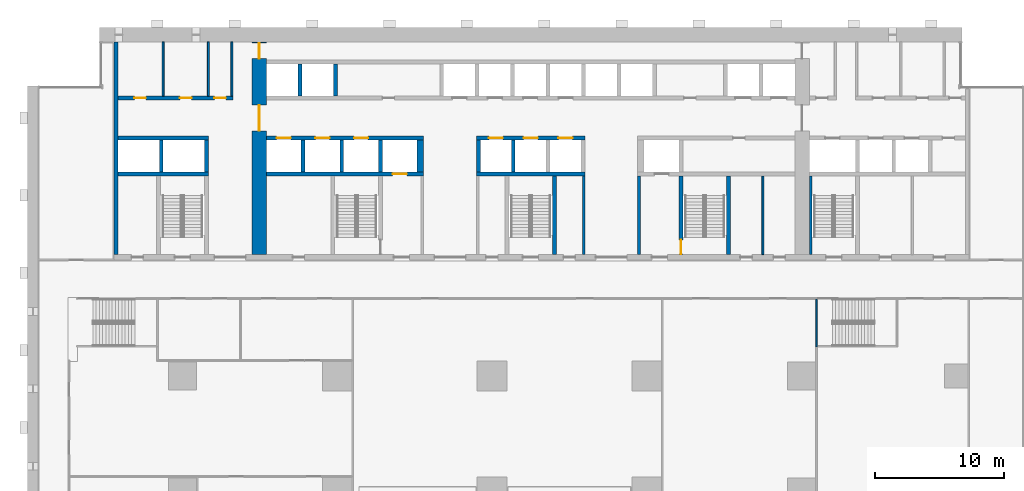
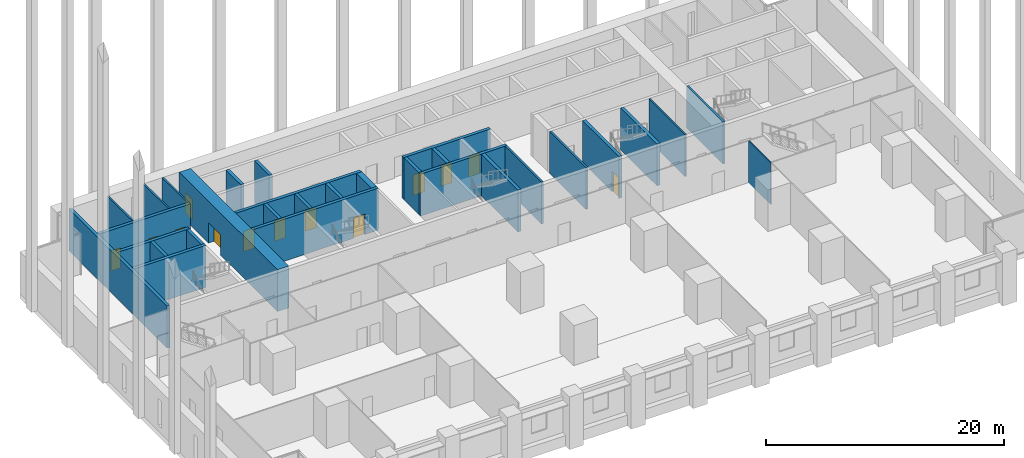
# One storey, part 9 of 17: 30 walls, 13 doors, 13 openings.
"""IFC4 building model written with IfcOpenShell, lengths in metres."""

from ifc_helpers import new_model, si_unit, direction, frame, frame_2d, origin, place, context, subcontext, project, spatial, rectangle, extrude, material, layer, layer_set, type_object, element, fill, save


model = new_model("IFC4")

# Units and contexts
model_context = context("Model", 3, precision=1e-05, world=origin(), true_north=direction((0.0, 1.0)))
body_context = subcontext(model_context, "Body", "Model", "MODEL_VIEW")
ifc_project = project(units=[si_unit("LENGTHUNIT", "METRE"), si_unit("AREAUNIT", "SQUARE_METRE"), si_unit("VOLUMEUNIT", "CUBIC_METRE"), si_unit("PLANEANGLEUNIT", "RADIAN"), si_unit("MASSUNIT", "GRAM", prefix="KILO")], contexts=[model_context])

# Site, building, storey
site_placement = place(None, origin())
site = spatial("IfcSite", under=ifc_project, at=site_placement, CompositionType="ELEMENT")
building_placement = place(site_placement, origin())
building = spatial("IfcBuilding", under=site, at=building_placement, Name="Calvaro Tower", CompositionType="ELEMENT")
storey_placement = place(building_placement, frame((0.0, 0.0, 6.5)))
storey = spatial("IfcBuildingStorey", under=building, at=storey_placement, Name="L01", CompositionType="ELEMENT", Elevation=6.5)

# Walls
ifc_material_1 = material(Name="Blockwork partition", Category="masonry")
ifc_layer_1 = layer(ifc_material_1, 0.14990234375)
ifc_layer_set_1 = layer_set([ifc_layer_1], Name="Blockwork partition")
wall_type_1 = type_object("IfcWallType", Name="Core partition 150 EI 60", PredefinedType="PARTITIONING", material=ifc_layer_set_1)
wall_1_placement = place(storey_placement, frame((57.0, 28.39990234375, 0.0), z_axis=(0.0, 0.0, 1.0), x_axis=(0.0, 1.0, 0.0)))
element("IfcWall", 1, at=wall_1_placement, inside=storey, type_object=wall_type_1, Name="Core partition", PredefinedType="PARTITIONING", context=body_context, shape_type="SweptSolid", body=[
    extrude(rectangle(XDim=6.10009765625, YDim=0.14990234375, at=frame_2d((3.050048828125, 0.0))), origin(), (0.0, 0.0, 1.0), 4.300048828125),
])
for number, where, z_axis, x_axis, name in (
    (2, (10.5, 40.699951171875, 0.0), (0.0, 0.0, 1.0), (0.0, 1.0, 0.0), "Core partition"),
    (3, (14.0, 40.699951171875, 0.0), (0.0, 0.0, 1.0), (0.0, 1.0, 0.0), "Core partition"),
):
    element("IfcWall", number, at=place(storey_placement, frame(where, z_axis=z_axis, x_axis=x_axis)), inside=storey, type_object=wall_type_1, Name=name, PredefinedType="PARTITIONING", context=body_context, shape_type="SweptSolid", body=[
        extrude(rectangle(XDim=4.199951171875, YDim=0.14990234375, at=frame_2d((2.10009765625, 0.0))), origin(), (0.0, 0.0, 1.0), 4.300048828125),
    ])
ifc_material_2 = material(Name="Blockwork partition", Category="masonry")
ifc_layer_2 = layer(ifc_material_2, 0.14990234375)
ifc_layer_set_2 = layer_set([ifc_layer_2], Name="Blockwork partition")
wall_type_2 = type_object("IfcWallType", Name="Core partition 150 REI 120", PredefinedType="PARTITIONING", material=ifc_layer_set_2)
wall_2_placement = place(storey_placement, frame((15.824951171875, 40.699951171875, 0.0), z_axis=(0.0, 0.0, 1.0), x_axis=(0.0, 1.0, 0.0)))
element("IfcWall", 4, at=wall_2_placement, inside=storey, type_object=wall_type_2, Name="Core partition", PredefinedType="PARTITIONING", context=body_context, shape_type="SweptSolid", body=[
    extrude(rectangle(XDim=4.199951171875, YDim=0.14990234375, at=frame_2d((2.10009765625, 0.0))), origin(), (0.0, 0.0, 1.0), 4.300048828125),
])
ifc_material_3 = material(Name="Blockwork partition", Category="masonry")
ifc_layer_3 = layer(ifc_material_3, 0.199951171875)
ifc_layer_set_3 = layer_set([ifc_layer_3], Name="Blockwork partition")
wall_type_3 = type_object("IfcWallType", Name="Core partition 200 REI 120", PredefinedType="PARTITIONING", material=ifc_layer_set_3)
for number, where, z_axis, x_axis, name in (
    (5, (43.10009765625, 28.39990234375, 0.0), (0.0, 0.0, 1.0), (0.0, 1.0, 0.0), "Core partition"),
    (6, (47.39990234375, 28.39990234375, 0.0), (0.0, 0.0, 1.0), (0.0, 1.0, 0.0), "Core partition"),
):
    element("IfcWall", number, at=place(storey_placement, frame(where, z_axis=z_axis, x_axis=x_axis)), inside=storey, type_object=wall_type_3, Name=name, PredefinedType="PARTITIONING", context=body_context, shape_type="SweptSolid", body=[
        extrude(rectangle(XDim=6.10009765625, YDim=0.199951171875, at=frame_2d((3.050048828125, 0.0))), origin(), (0.0, 0.0, 1.0), 4.300048828125),
    ])

# Wall, openings, doors
ifc_material_4 = material(Name="Blockwork partition", Category="masonry")
ifc_layer_4 = layer(ifc_material_4, 0.300048828125)
ifc_layer_set_4 = layer_set([ifc_layer_4], Name="Blockwork partition")
wall_type_4 = type_object("IfcWallType", Name="Core partition 300 REI 120", PredefinedType="PARTITIONING", material=ifc_layer_set_4)
wall_3_placement = place(storey_placement, frame((7.0, 40.550048828125, 0.0), z_axis=(0.0, 0.0, 1.0), x_axis=(1.0, 0.0, 0.0)))
wall_3 = element("IfcWall", 7, at=wall_3_placement, inside=storey, type_object=wall_type_4, Name="Core partition", PredefinedType="PARTITIONING", context=body_context, shape_type="SweptSolid", body=[
    extrude(rectangle(XDim=8.89990234375, YDim=0.300048828125, at=frame_2d((4.449951171875, 0.0))), origin(), (0.0, 0.0, 1.0), 4.300048828125),
])
opening_1_placement = place(wall_3_placement, frame((1.262451171875, 0.0, 0.0)))
opening_1 = element("IfcOpeningElement", 8, at=opening_1_placement, cuts=wall_3, Name="Opening RD9", PredefinedType="OPENING", context=body_context, shape_type="SweptSolid", body=[
    extrude(rectangle(XDim=0.89990234375, YDim=2.10009765625, at=frame_2d((0.449951171875, 1.050048828125))), frame((0.0, 0.159912109375, 0.0), z_axis=(0.0, -1.0, 0.0), x_axis=(1.0, 0.0, 0.0)), (0.0, 0.0, 1.0), 0.320068359375),
])
opening_2_placement = place(wall_3_placement, frame((4.800048828125, 0.0, 0.0)))
opening_2 = element("IfcOpeningElement", 9, at=opening_2_placement, cuts=wall_3, Name="Opening RD9", PredefinedType="OPENING", context=body_context, shape_type="SweptSolid", body=[
    extrude(rectangle(XDim=0.89990234375, YDim=2.10009765625, at=frame_2d((0.449951171875, 1.050048828125))), frame((0.0, 0.159912109375, 0.0), z_axis=(0.0, -1.0, 0.0), x_axis=(1.0, 0.0, 0.0)), (0.0, 0.0, 1.0), 0.320068359375),
])
opening_3_placement = place(wall_3_placement, frame((7.46240234375, 0.0, 0.0)))
opening_3 = element("IfcOpeningElement", 10, at=opening_3_placement, cuts=wall_3, Name="Opening RD9", PredefinedType="OPENING", context=body_context, shape_type="SweptSolid", body=[
    extrude(rectangle(XDim=0.89990234375, YDim=2.10009765625, at=frame_2d((0.449951171875, 1.050048828125))), frame((0.0, 0.159912109375, 0.0), z_axis=(0.0, -1.0, 0.0), x_axis=(1.0, 0.0, 0.0)), (0.0, 0.0, 1.0), 0.320068359375),
])
ifc_material_5 = material(Name="Steel door set", Category="steel")
door_type_1 = type_object("IfcDoorType", Name="Room door 900", OperationType="SINGLE_SWING_LEFT", PredefinedType="DOOR", material=ifc_material_5)
door_1_placement = place(opening_1_placement, origin())
door_1 = element("IfcDoor", 11, at=door_1_placement, inside=storey, type_object=door_type_1, Name="Room door", OperationType="SINGLE_SWING_LEFT", OverallHeight=2.10009765625, OverallWidth=0.89990234375, PredefinedType="DOOR", context=body_context, shape_type="SweptSolid", body=[
    extrude(rectangle(XDim=0.89990234375, YDim=2.10009765625, at=frame_2d((0.449951171875, 1.050048828125))), frame((0.0, 0.02490234375, 0.0), z_axis=(0.0, -1.0, 0.0), x_axis=(1.0, 0.0, 0.0)), (0.0, 0.0, 1.0), 0.050048828125),
])
fill(opening_1, door_1)
door_2_placement = place(opening_2_placement, origin())
door_2 = element("IfcDoor", 12, at=door_2_placement, inside=storey, type_object=door_type_1, Name="Room door", OperationType="SINGLE_SWING_LEFT", OverallHeight=2.10009765625, OverallWidth=0.89990234375, PredefinedType="DOOR", context=body_context, shape_type="SweptSolid", body=[
    extrude(rectangle(XDim=0.89990234375, YDim=2.10009765625, at=frame_2d((0.449951171875, 1.050048828125))), frame((0.0, 0.02490234375, 0.0), z_axis=(0.0, -1.0, 0.0), x_axis=(1.0, 0.0, 0.0)), (0.0, 0.0, 1.0), 0.050048828125),
])
fill(opening_2, door_2)
door_3_placement = place(opening_3_placement, origin())
door_3 = element("IfcDoor", 13, at=door_3_placement, inside=storey, type_object=door_type_1, Name="Room door", OperationType="SINGLE_SWING_LEFT", OverallHeight=2.10009765625, OverallWidth=0.89990234375, PredefinedType="DOOR", context=body_context, shape_type="SweptSolid", body=[
    extrude(rectangle(XDim=0.89990234375, YDim=2.10009765625, at=frame_2d((0.449951171875, 1.050048828125))), frame((0.0, 0.02490234375, 0.0), z_axis=(0.0, -1.0, 0.0), x_axis=(1.0, 0.0, 0.0)), (0.0, 0.0, 1.0), 0.050048828125),
])
fill(opening_3, door_3)

ifc_material_6 = material(Name="Concrete C80/95", Category="concrete")
ifc_layer_5 = layer(ifc_material_6, 1.10009765625)
ifc_layer_set_5 = layer_set([ifc_layer_5], Name="Concrete C80/95")
wall_type_5 = type_object("IfcWallType", Name="Core wall C80/95 1100", PredefinedType="SHEAR", material=ifc_layer_set_5)
wall_4_placement = place(storey_placement, frame((17.949951171875, 28.39990234375, 0.0), z_axis=(0.0, 0.0, 1.0), x_axis=(0.0, 1.0, 0.0)))
wall_4 = element("IfcWall", 14, at=wall_4_placement, inside=storey, type_object=wall_type_5, Name="Core wall, cross shear wall", PredefinedType="SHEAR", context=body_context, shape_type="SweptSolid", body=[
    extrude(rectangle(XDim=16.5, YDim=1.10009765625, at=frame_2d((8.25, 0.0))), origin(), (0.0, 0.0, 1.0), 4.300048828125),
])
opening_4_placement = place(wall_4_placement, frame((9.60009765625, 0.0, 0.0)))
opening_4 = element("IfcOpeningElement", 15, at=opening_4_placement, cuts=wall_4, Name="Opening DD20D", PredefinedType="OPENING", context=body_context, shape_type="SweptSolid", body=[
    extrude(rectangle(XDim=2.0, YDim=2.10009765625, at=frame_2d((1.0, 1.050048828125))), frame((0.0, 0.56005859375, 0.0), z_axis=(0.0, -1.0, 0.0), x_axis=(1.0, 0.0, 0.0)), (0.0, 0.0, 1.0), 1.1201171875),
])
opening_5_placement = place(wall_4_placement, frame((15.199951171875, 0.0, 0.0)))
opening_5 = element("IfcOpeningElement", 16, at=opening_5_placement, cuts=wall_4, Name="Opening FD12C", PredefinedType="OPENING", context=body_context, shape_type="SweptSolid", body=[
    extrude(rectangle(XDim=1.199951171875, YDim=2.10009765625, at=frame_2d((0.60009765625, 1.050048828125))), frame((0.0, 0.56005859375, 0.0), z_axis=(0.0, -1.0, 0.0), x_axis=(1.0, 0.0, 0.0)), (0.0, 0.0, 1.0), 1.1201171875),
])
ifc_material_7 = material(Name="Steel door set", Category="steel")
door_type_2 = type_object("IfcDoorType", Name="Fire door 1200 FD30", OperationType="SINGLE_SWING_LEFT", PredefinedType="DOOR", material=ifc_material_7)
door_4_placement = place(opening_5_placement, origin())
door_4 = element("IfcDoor", 17, at=door_4_placement, inside=storey, type_object=door_type_2, Name="Fire door", OperationType="SINGLE_SWING_RIGHT", OverallHeight=2.10009765625, OverallWidth=1.199951171875, PredefinedType="DOOR", context=body_context, shape_type="SweptSolid", body=[
    extrude(rectangle(XDim=1.199951171875, YDim=2.10009765625, at=frame_2d((0.60009765625, 1.050048828125))), frame((0.0, 0.02490234375, 0.0), z_axis=(0.0, -1.0, 0.0), x_axis=(1.0, 0.0, 0.0)), (0.0, 0.0, 1.0), 0.050048828125),
])
fill(opening_5, door_4)
ifc_material_8 = material(Name="Steel door set", Category="steel")
door_type_3 = type_object("IfcDoorType", Name="Lobby double door 2000 FD30S", OperationType="DOUBLE_DOOR_SINGLE_SWING", PredefinedType="DOOR", material=ifc_material_8)
door_5_placement = place(opening_4_placement, origin())
door_5 = element("IfcDoor", 18, at=door_5_placement, inside=storey, type_object=door_type_3, Name="Lobby double door", OperationType="DOUBLE_DOOR_SINGLE_SWING", OverallHeight=2.10009765625, OverallWidth=2.0, PredefinedType="DOOR", context=body_context, shape_type="SweptSolid", body=[
    extrude(rectangle(XDim=2.0, YDim=2.10009765625, at=frame_2d((1.0, 1.050048828125))), frame((0.0, 0.02490234375, 0.0), z_axis=(0.0, -1.0, 0.0), x_axis=(1.0, 0.0, 0.0)), (0.0, 0.0, 1.0), 0.050048828125),
])
fill(opening_4, door_5)

# Walls
ifc_material_9 = material(Name="Concrete C80/95", Category="concrete")
ifc_layer_6 = layer(ifc_material_9, 0.199951171875)
ifc_layer_set_6 = layer_set([ifc_layer_6], Name="Concrete C80/95")
wall_type_6 = type_object("IfcWallType", Name="Core wall C80/95 200", PredefinedType="SHEAR", material=ifc_layer_set_6)
wall_5_placement = place(storey_placement, frame((60.699951171875, 28.39990234375, 0.0), z_axis=(0.0, 0.0, 1.0), x_axis=(0.0, 1.0, 0.0)))
element("IfcWall", 19, at=wall_5_placement, inside=storey, type_object=wall_type_6, Name="Core wall, stair enclosure", PredefinedType="SHEAR", context=body_context, shape_type="SweptSolid", body=[
    extrude(rectangle(XDim=6.10009765625, YDim=0.199951171875, at=frame_2d((3.050048828125, 0.0))), origin(), (0.0, 0.0, 1.0), 4.300048828125),
])
ifc_material_10 = material(Name="Concrete C80/95", Category="concrete")
ifc_layer_7 = layer(ifc_material_10, 0.300048828125)
ifc_layer_set_7 = layer_set([ifc_layer_7], Name="Concrete C80/95")
wall_type_7 = type_object("IfcWallType", Name="Core wall C80/95 300", PredefinedType="SHEAR", material=ifc_layer_set_7)
wall_6_placement = place(storey_placement, frame((6.85009765625, 28.39990234375, 0.0), z_axis=(0.0, 0.0, 1.0), x_axis=(0.0, 1.0, 0.0)))
element("IfcWall", 20, at=wall_6_placement, inside=storey, type_object=wall_type_7, Name="Core wall, boundary", PredefinedType="SHEAR", context=body_context, shape_type="SweptSolid", body=[
    extrude(rectangle(XDim=16.5, YDim=0.300048828125, at=frame_2d((8.25, 0.0))), origin(), (0.0, 0.0, 1.0), 4.300048828125),
])
wall_7_placement = place(storey_placement, frame((40.85009765625, 28.39990234375, 0.0), z_axis=(0.0, 0.0, 1.0), x_axis=(0.0, 1.0, 0.0)))
element("IfcWall", 21, at=wall_7_placement, inside=storey, type_object=wall_type_7, Name="Core wall, stair enclosure", PredefinedType="SHEAR", context=body_context, shape_type="SweptSolid", body=[
    extrude(rectangle(XDim=6.10009765625, YDim=0.300048828125, at=frame_2d((3.050048828125, 0.0))), origin(), (0.0, 0.0, 1.0), 4.300048828125),
])

# Wall, opening, door
wall_8_placement = place(storey_placement, frame((50.64990234375, 34.5, 0.0), z_axis=(0.0, 0.0, 1.0), x_axis=(0.0, -1.0, 0.0)))
wall_8 = element("IfcWall", 22, at=wall_8_placement, inside=storey, type_object=wall_type_7, Name="Core wall, stair enclosure", PredefinedType="SHEAR", context=body_context, shape_type="SweptSolid", body=[
    extrude(rectangle(XDim=6.10009765625, YDim=0.300048828125, at=frame_2d((3.050048828125, 0.0))), origin(), (0.0, 0.0, 1.0), 4.300048828125),
])
opening_6_placement = place(wall_8_placement, frame((4.949951171875, 0.0, 0.0)))
opening_6 = element("IfcOpeningElement", 23, at=opening_6_placement, cuts=wall_8, Name="Opening FD11D", PredefinedType="OPENING", context=body_context, shape_type="SweptSolid", body=[
    extrude(rectangle(XDim=1.10009765625, YDim=2.10009765625, at=frame_2d((0.550048828125, 1.050048828125))), frame((0.0, 0.159912109375, 0.0), z_axis=(0.0, -1.0, 0.0), x_axis=(1.0, 0.0, 0.0)), (0.0, 0.0, 1.0), 0.320068359375),
])
ifc_material_11 = material(Name="Steel door set", Category="steel")
door_type_4 = type_object("IfcDoorType", Name="Fire door 1100 FD30S", OperationType="SINGLE_SWING_LEFT", PredefinedType="DOOR", material=ifc_material_11)
door_6_placement = place(opening_6_placement, origin())
door_6 = element("IfcDoor", 24, at=door_6_placement, inside=storey, type_object=door_type_4, Name="Fire door", OperationType="SINGLE_SWING_RIGHT", OverallHeight=2.10009765625, OverallWidth=1.10009765625, PredefinedType="DOOR", context=body_context, shape_type="SweptSolid", body=[
    extrude(rectangle(XDim=1.10009765625, YDim=2.10009765625, at=frame_2d((0.550048828125, 1.050048828125))), frame((0.0, 0.02490234375, 0.0), z_axis=(0.0, -1.0, 0.0), x_axis=(1.0, 0.0, 0.0)), (0.0, 0.0, 1.0), 0.050048828125),
])
fill(opening_6, door_6)

# Walls
wall_9_placement = place(storey_placement, frame((54.35009765625, 28.39990234375, 0.0), z_axis=(0.0, 0.0, 1.0), x_axis=(0.0, 1.0, 0.0)))
element("IfcWall", 25, at=wall_9_placement, inside=storey, type_object=wall_type_7, Name="Core wall, stair enclosure", PredefinedType="SHEAR", context=body_context, shape_type="SweptSolid", body=[
    extrude(rectangle(XDim=6.10009765625, YDim=0.300048828125, at=frame_2d((3.050048828125, 0.0))), origin(), (0.0, 0.0, 1.0), 4.300048828125),
])
wall_10_placement = place(storey_placement, frame((7.0, 34.64990234375, 0.0), z_axis=(0.0, 0.0, 1.0), x_axis=(1.0, 0.0, 0.0)))
element("IfcWall", 26, at=wall_10_placement, inside=storey, type_object=wall_type_7, Name="Core wall, lift shaft", PredefinedType="SHEAR", context=body_context, shape_type="SweptSolid", body=[
    extrude(rectangle(XDim=7.0, YDim=0.300048828125, at=frame_2d((3.5, 0.0))), origin(), (0.0, 0.0, 1.0), 4.300048828125),
])

# Wall, opening, door
wall_11_placement = place(storey_placement, frame((18.5, 34.64990234375, 0.0), z_axis=(0.0, 0.0, 1.0), x_axis=(1.0, 0.0, 0.0)))
wall_11 = element("IfcWall", 27, at=wall_11_placement, inside=storey, type_object=wall_type_7, Name="Core wall, lift shaft", PredefinedType="SHEAR", context=body_context, shape_type="SweptSolid", body=[
    extrude(rectangle(XDim=12.199951171875, YDim=0.300048828125, at=frame_2d((6.10009765625, 0.0))), origin(), (0.0, 0.0, 1.0), 4.300048828125),
])
opening_7_placement = place(wall_11_placement, frame((9.800048828125, 0.0, 0.0)))
opening_7 = element("IfcOpeningElement", 28, at=opening_7_placement, cuts=wall_11, Name="Opening FF1", PredefinedType="OPENING", context=body_context, shape_type="SweptSolid", body=[
    extrude(rectangle(XDim=1.10009765625, YDim=2.10009765625, at=frame_2d((0.550048828125, 1.050048828125))), frame((0.0, 0.159912109375, 0.0), z_axis=(0.0, -1.0, 0.0), x_axis=(1.0, 0.0, 0.0)), (0.0, 0.0, 1.0), 0.320068359375),
])
ifc_material_12 = material(Name="Stainless steel", Category="steel")
door_type_5 = type_object("IfcDoorType", Name="Landing door 1100 E 60", OperationType="SLIDING_TO_LEFT", PredefinedType="DOOR", material=ifc_material_12)
door_7_placement = place(opening_7_placement, origin())
door_7 = element("IfcDoor", 29, at=door_7_placement, inside=storey, type_object=door_type_5, Name="Landing door FF1", OperationType="SLIDING_TO_LEFT", OverallHeight=2.10009765625, OverallWidth=1.10009765625, PredefinedType="DOOR", context=body_context, shape_type="SweptSolid", body=[
    extrude(rectangle(XDim=1.10009765625, YDim=2.10009765625, at=frame_2d((0.550048828125, 1.050048828125))), frame((0.0, 0.02490234375, 0.0), z_axis=(0.0, -1.0, 0.0), x_axis=(1.0, 0.0, 0.0)), (0.0, 0.0, 1.0), 0.050048828125),
])
fill(opening_7, door_7)

# Walls
wall_12_placement = place(storey_placement, frame((34.800048828125, 34.64990234375, 0.0), z_axis=(0.0, 0.0, 1.0), x_axis=(1.0, 0.0, 0.0)))
element("IfcWall", 30, at=wall_12_placement, inside=storey, type_object=wall_type_7, Name="Core wall, lift shaft", PredefinedType="SHEAR", context=body_context, shape_type="SweptSolid", body=[
    extrude(rectangle(XDim=8.39990234375, YDim=0.300048828125, at=frame_2d((4.199951171875, 0.0))), origin(), (0.0, 0.0, 1.0), 4.300048828125),
])
wall_13_placement = place(storey_placement, frame((7.0, 37.449951171875, 0.0), z_axis=(0.0, 0.0, 1.0), x_axis=(1.0, 0.0, 0.0)))
element("IfcWall", 31, at=wall_13_placement, inside=storey, type_object=wall_type_7, Name="Core wall, lift shaft", PredefinedType="SHEAR", context=body_context, shape_type="SweptSolid", body=[
    extrude(rectangle(XDim=7.0, YDim=0.300048828125, at=frame_2d((3.5, 0.0))), origin(), (0.0, 0.0, 1.0), 4.300048828125),
])

# Wall, openings, doors
wall_14_placement = place(storey_placement, frame((18.5, 37.449951171875, 0.0), z_axis=(0.0, 0.0, 1.0), x_axis=(1.0, 0.0, 0.0)))
wall_14 = element("IfcWall", 32, at=wall_14_placement, inside=storey, type_object=wall_type_7, Name="Core wall, lift shaft", PredefinedType="SHEAR", context=body_context, shape_type="SweptSolid", body=[
    extrude(rectangle(XDim=12.199951171875, YDim=0.300048828125, at=frame_2d((6.10009765625, 0.0))), origin(), (0.0, 0.0, 1.0), 4.300048828125),
])
opening_8_placement = place(wall_14_placement, frame((0.800048828125, 0.0, 0.0)))
opening_8 = element("IfcOpeningElement", 33, at=opening_8_placement, cuts=wall_14, Name="Opening LR1", PredefinedType="OPENING", context=body_context, shape_type="SweptSolid", body=[
    extrude(rectangle(XDim=1.10009765625, YDim=2.10009765625, at=frame_2d((0.550048828125, 1.050048828125))), frame((0.0, 0.159912109375, 0.0), z_axis=(0.0, -1.0, 0.0), x_axis=(1.0, 0.0, 0.0)), (0.0, 0.0, 1.0), 0.320068359375),
])
opening_9_placement = place(wall_14_placement, frame((3.800048828125, 0.0, 0.0)))
opening_9 = element("IfcOpeningElement", 34, at=opening_9_placement, cuts=wall_14, Name="Opening LR2", PredefinedType="OPENING", context=body_context, shape_type="SweptSolid", body=[
    extrude(rectangle(XDim=1.10009765625, YDim=2.10009765625, at=frame_2d((0.550048828125, 1.050048828125))), frame((0.0, 0.159912109375, 0.0), z_axis=(0.0, -1.0, 0.0), x_axis=(1.0, 0.0, 0.0)), (0.0, 0.0, 1.0), 0.320068359375),
])
opening_10_placement = place(wall_14_placement, frame((6.800048828125, 0.0, 0.0)))
opening_10 = element("IfcOpeningElement", 35, at=opening_10_placement, cuts=wall_14, Name="Opening LR3", PredefinedType="OPENING", context=body_context, shape_type="SweptSolid", body=[
    extrude(rectangle(XDim=1.10009765625, YDim=2.10009765625, at=frame_2d((0.550048828125, 1.050048828125))), frame((0.0, 0.159912109375, 0.0), z_axis=(0.0, -1.0, 0.0), x_axis=(1.0, 0.0, 0.0)), (0.0, 0.0, 1.0), 0.320068359375),
])
door_8_placement = place(opening_8_placement, origin())
door_8 = element("IfcDoor", 36, at=door_8_placement, inside=storey, type_object=door_type_5, Name="Landing door LR1", OperationType="SLIDING_TO_LEFT", OverallHeight=2.10009765625, OverallWidth=1.10009765625, PredefinedType="DOOR", context=body_context, shape_type="SweptSolid", body=[
    extrude(rectangle(XDim=1.10009765625, YDim=2.10009765625, at=frame_2d((0.550048828125, 1.050048828125))), frame((0.0, 0.02490234375, 0.0), z_axis=(0.0, -1.0, 0.0), x_axis=(1.0, 0.0, 0.0)), (0.0, 0.0, 1.0), 0.050048828125),
])
fill(opening_8, door_8)
door_9_placement = place(opening_9_placement, origin())
door_9 = element("IfcDoor", 37, at=door_9_placement, inside=storey, type_object=door_type_5, Name="Landing door LR2", OperationType="SLIDING_TO_LEFT", OverallHeight=2.10009765625, OverallWidth=1.10009765625, PredefinedType="DOOR", context=body_context, shape_type="SweptSolid", body=[
    extrude(rectangle(XDim=1.10009765625, YDim=2.10009765625, at=frame_2d((0.550048828125, 1.050048828125))), frame((0.0, 0.02490234375, 0.0), z_axis=(0.0, -1.0, 0.0), x_axis=(1.0, 0.0, 0.0)), (0.0, 0.0, 1.0), 0.050048828125),
])
fill(opening_9, door_9)
door_10_placement = place(opening_10_placement, origin())
door_10 = element("IfcDoor", 38, at=door_10_placement, inside=storey, type_object=door_type_5, Name="Landing door LR3", OperationType="SLIDING_TO_LEFT", OverallHeight=2.10009765625, OverallWidth=1.10009765625, PredefinedType="DOOR", context=body_context, shape_type="SweptSolid", body=[
    extrude(rectangle(XDim=1.10009765625, YDim=2.10009765625, at=frame_2d((0.550048828125, 1.050048828125))), frame((0.0, 0.02490234375, 0.0), z_axis=(0.0, -1.0, 0.0), x_axis=(1.0, 0.0, 0.0)), (0.0, 0.0, 1.0), 0.050048828125),
])
fill(opening_10, door_10)

wall_15_placement = place(storey_placement, frame((34.800048828125, 37.449951171875, 0.0), z_axis=(0.0, 0.0, 1.0), x_axis=(1.0, 0.0, 0.0)))
wall_15 = element("IfcWall", 39, at=wall_15_placement, inside=storey, type_object=wall_type_7, Name="Core wall, lift shaft", PredefinedType="SHEAR", context=body_context, shape_type="SweptSolid", body=[
    extrude(rectangle(XDim=8.39990234375, YDim=0.300048828125, at=frame_2d((4.199951171875, 0.0))), origin(), (0.0, 0.0, 1.0), 4.300048828125),
])
opening_11_placement = place(wall_15_placement, frame((0.949951171875, 0.0, 0.0)))
opening_11 = element("IfcOpeningElement", 40, at=opening_11_placement, cuts=wall_15, Name="Opening LR4", PredefinedType="OPENING", context=body_context, shape_type="SweptSolid", body=[
    extrude(rectangle(XDim=1.10009765625, YDim=2.10009765625, at=frame_2d((0.550048828125, 1.050048828125))), frame((0.0, 0.159912109375, 0.0), z_axis=(0.0, -1.0, 0.0), x_axis=(1.0, 0.0, 0.0)), (0.0, 0.0, 1.0), 0.320068359375),
])
opening_12_placement = place(wall_15_placement, frame((3.64990234375, 0.0, 0.0)))
opening_12 = element("IfcOpeningElement", 41, at=opening_12_placement, cuts=wall_15, Name="Opening LR5", PredefinedType="OPENING", context=body_context, shape_type="SweptSolid", body=[
    extrude(rectangle(XDim=1.10009765625, YDim=2.10009765625, at=frame_2d((0.550048828125, 1.050048828125))), frame((0.0, 0.159912109375, 0.0), z_axis=(0.0, -1.0, 0.0), x_axis=(1.0, 0.0, 0.0)), (0.0, 0.0, 1.0), 0.320068359375),
])
opening_13_placement = place(wall_15_placement, frame((6.35009765625, 0.0, 0.0)))
opening_13 = element("IfcOpeningElement", 42, at=opening_13_placement, cuts=wall_15, Name="Opening LR6", PredefinedType="OPENING", context=body_context, shape_type="SweptSolid", body=[
    extrude(rectangle(XDim=1.10009765625, YDim=2.10009765625, at=frame_2d((0.550048828125, 1.050048828125))), frame((0.0, 0.159912109375, 0.0), z_axis=(0.0, -1.0, 0.0), x_axis=(1.0, 0.0, 0.0)), (0.0, 0.0, 1.0), 0.320068359375),
])
door_11_placement = place(opening_11_placement, origin())
door_11 = element("IfcDoor", 43, at=door_11_placement, inside=storey, type_object=door_type_5, Name="Landing door LR4", OperationType="SLIDING_TO_LEFT", OverallHeight=2.10009765625, OverallWidth=1.10009765625, PredefinedType="DOOR", context=body_context, shape_type="SweptSolid", body=[
    extrude(rectangle(XDim=1.10009765625, YDim=2.10009765625, at=frame_2d((0.550048828125, 1.050048828125))), frame((0.0, 0.02490234375, 0.0), z_axis=(0.0, -1.0, 0.0), x_axis=(1.0, 0.0, 0.0)), (0.0, 0.0, 1.0), 0.050048828125),
])
fill(opening_11, door_11)
door_12_placement = place(opening_12_placement, origin())
door_12 = element("IfcDoor", 44, at=door_12_placement, inside=storey, type_object=door_type_5, Name="Landing door LR5", OperationType="SLIDING_TO_LEFT", OverallHeight=2.10009765625, OverallWidth=1.10009765625, PredefinedType="DOOR", context=body_context, shape_type="SweptSolid", body=[
    extrude(rectangle(XDim=1.10009765625, YDim=2.10009765625, at=frame_2d((0.550048828125, 1.050048828125))), frame((0.0, 0.02490234375, 0.0), z_axis=(0.0, -1.0, 0.0), x_axis=(1.0, 0.0, 0.0)), (0.0, 0.0, 1.0), 0.050048828125),
])
fill(opening_12, door_12)
door_13_placement = place(opening_13_placement, origin())
door_13 = element("IfcDoor", 45, at=door_13_placement, inside=storey, type_object=door_type_5, Name="Landing door LR6", OperationType="SLIDING_TO_LEFT", OverallHeight=2.10009765625, OverallWidth=1.10009765625, PredefinedType="DOOR", context=body_context, shape_type="SweptSolid", body=[
    extrude(rectangle(XDim=1.10009765625, YDim=2.10009765625, at=frame_2d((0.550048828125, 1.050048828125))), frame((0.0, 0.02490234375, 0.0), z_axis=(0.0, -1.0, 0.0), x_axis=(1.0, 0.0, 0.0)), (0.0, 0.0, 1.0), 0.050048828125),
])
fill(opening_13, door_13)

# Walls
for number, where, z_axis, x_axis, name in (
    (46, (27.35009765625, 34.800048828125, 0.0), (0.0, 0.0, 1.0), (0.0, 1.0, 0.0), "Core wall, lift shaft"),
    (47, (34.949951171875, 34.800048828125, 0.0), (0.0, 0.0, 1.0), (0.0, 1.0, 0.0), "Core wall, lift shaft"),
    (48, (13.85009765625, 34.800048828125, 0.0), (0.0, 0.0, 1.0), (0.0, 1.0, 0.0), "Core wall, lift shaft"),
    (49, (21.35009765625, 34.800048828125, 0.0), (0.0, 0.0, 1.0), (0.0, 1.0, 0.0), "Core wall, lift shaft"),
    (50, (24.35009765625, 34.800048828125, 0.0), (0.0, 0.0, 1.0), (0.0, 1.0, 0.0), "Core wall, lift shaft"),
    (51, (37.64990234375, 34.800048828125, 0.0), (0.0, 0.0, 1.0), (0.0, 1.0, 0.0), "Core wall, lift shaft"),
    (52, (21.10009765625, 40.699951171875, 0.0), (0.0, 0.0, 1.0), (0.0, 1.0, 0.0), "Core wall, lift shaft"),
    (53, (23.85009765625, 40.699951171875, 0.0), (0.0, 0.0, 1.0), (0.0, 1.0, 0.0), "Core wall, lift shaft"),
    (54, (10.35009765625, 34.800048828125, 0.0), (0.0, 0.0, 1.0), (0.0, 1.0, 0.0), "Core wall, lift shaft"),
):
    element("IfcWall", number, at=place(storey_placement, frame(where, z_axis=z_axis, x_axis=x_axis)), inside=storey, type_object=wall_type_7, Name=name, PredefinedType="SHEAR", context=body_context, shape_type="SweptSolid", body=[
        extrude(rectangle(XDim=2.5, YDim=0.300048828125, at=frame_2d((1.25, 0.0))), origin(), (0.0, 0.0, 1.0), 4.300048828125),
    ])
ifc_material_13 = material(Name="Concrete C80/95", Category="concrete")
ifc_layer_8 = layer(ifc_material_13, 0.5)
ifc_layer_set_8 = layer_set([ifc_layer_8], Name="Concrete C80/95")
wall_type_8 = type_object("IfcWallType", Name="Core wall C80/95 500", PredefinedType="SHEAR", material=ifc_layer_set_8)
wall_16_placement = place(storey_placement, frame((30.449951171875, 34.800048828125, 0.0), z_axis=(0.0, 0.0, 1.0), x_axis=(0.0, 1.0, 0.0)))
element("IfcWall", 55, at=wall_16_placement, inside=storey, type_object=wall_type_8, Name="Core wall, lift shaft", PredefinedType="SHEAR", context=body_context, shape_type="SweptSolid", body=[
    extrude(rectangle(XDim=2.5, YDim=0.5, at=frame_2d((1.25, 0.0))), origin(), (0.0, 0.0, 1.0), 4.300048828125),
])
ifc_material_14 = material(Name="Concrete C40/50", Category="concrete")
ifc_layer_9 = layer(ifc_material_14, 0.10009765625)
ifc_layer_set_9 = layer_set([ifc_layer_9], Name="Concrete C40/50")
wall_type_9 = type_object("IfcWallType", Name="Stair enclosure wall 100", PredefinedType="SOLIDWALL", material=ifc_layer_set_9)
wall_17_placement = place(storey_placement, frame((61.14990234375, 21.260009765625, 0.0), z_axis=(0.0, 0.0, 1.0), x_axis=(0.0, 1.0, 0.0)))
element("IfcWall", 56, at=wall_17_placement, inside=storey, type_object=wall_type_9, Name="Stair enclosure wall T04.W019", PredefinedType="SOLIDWALL", context=body_context, shape_type="SweptSolid", body=[
    extrude(rectangle(XDim=3.68994140625, YDim=0.10009765625, at=frame_2d((1.844970703125, 0.0))), origin(), (0.0, 0.0, 1.0), 4.300048828125),
])

save(model, "model.ifc")
